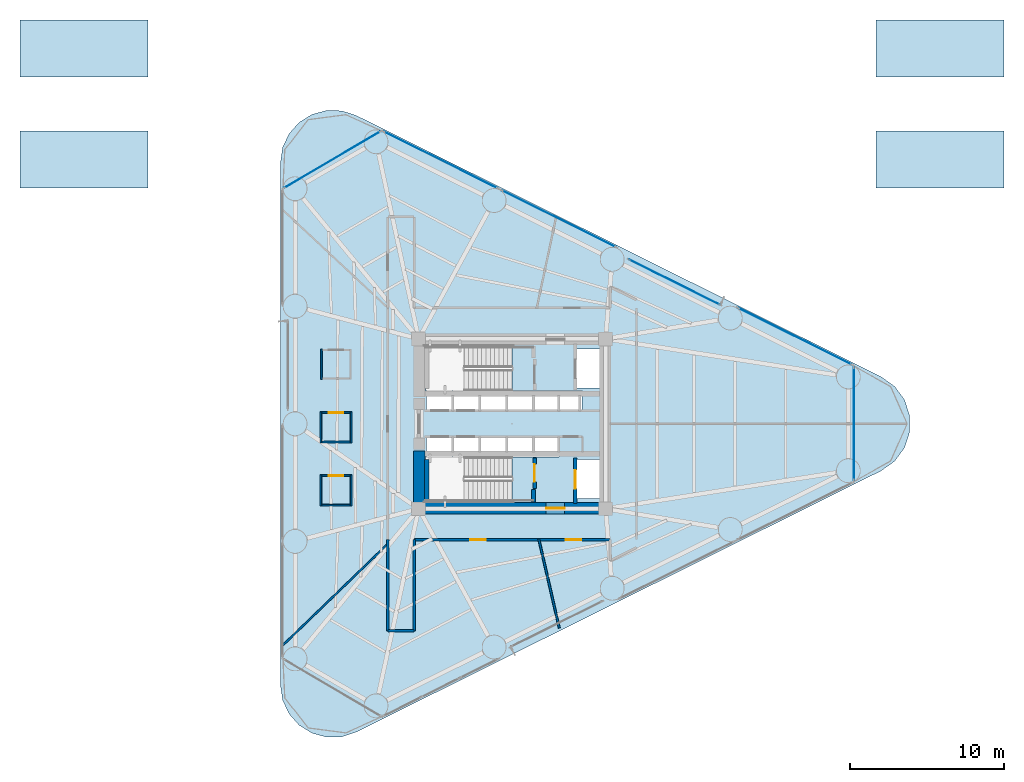
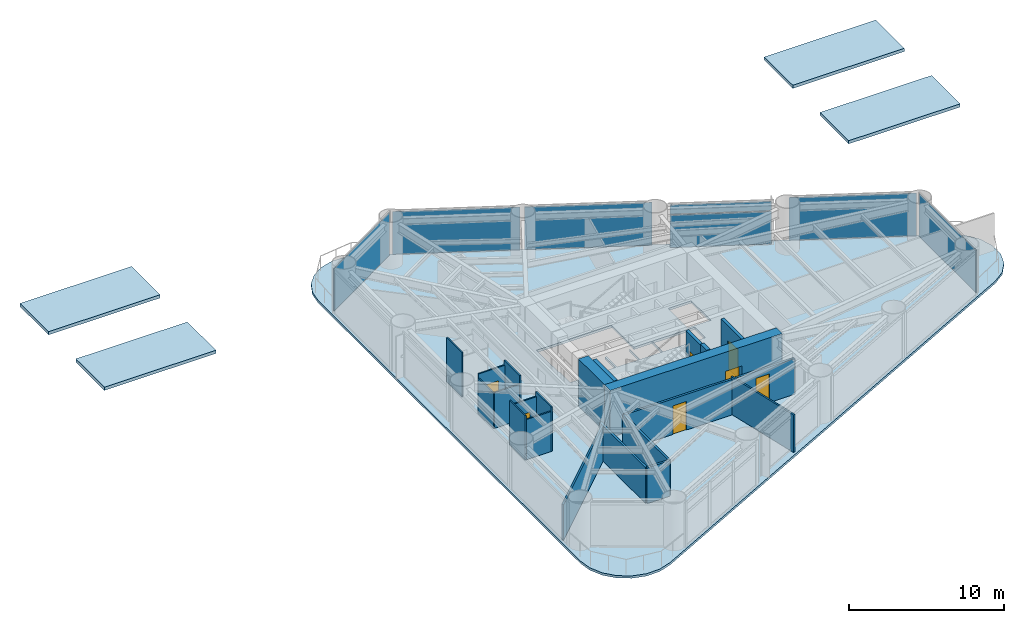
# One storey, part 5 of 10: 21 walls, 7 doors, 7 plates, 5 slabs, 7 openings, 6 elements without a shape of their own.
"""IFC4 building model written with IfcOpenShell, lengths in metres."""

import ifcopenshell
import ifcopenshell.guid

model = None  # the IFC model being written
_history = None  # IfcOwnerHistory: only IFC2X3 demands one
_inside = {}  # id of a spatial element -> (the spatial element, [elements in it])
_under = {}  # id of a project, library or spatial element -> (it, [spatial elements below it])
_declared = {}  # id of a project -> (the project, [libraries it declares])
_typed = {}  # id of a type object -> (the type object, [elements of that type])
_made_of = {}  # id of a material, layer set ... -> (it, [elements and type objects made of it])


def new_model(schema):
    """Start an empty IFC model of exactly this schema.

    Asked for "IFC4X3", IfcOpenShell would pick the latest addendum, in which some entities
    have other attributes; the version numbers below select the first issue.
    IFC2X3 requires an IfcOwnerHistory on every rooted entity: one is made here for all.
    """
    global model, _history
    if schema == "IFC4X3":
        model = ifcopenshell.file(schema_version=(4, 3, 0, 0))
    else:
        model = ifcopenshell.file(schema=schema)
    _inside.clear()
    _under.clear()
    _declared.clear()
    _typed.clear()
    _made_of.clear()
    _history = None
    if model.schema == "IFC2X3":
        org = make("IfcOrganization", Name="unknown")
        user = make(
            "IfcPersonAndOrganization",
            ThePerson=make("IfcPerson", FamilyName="unknown"),
            TheOrganization=org,
        )
        app = make(
            "IfcApplication",
            ApplicationDeveloper=org,
            Version="unknown",
            ApplicationFullName="unknown",
            ApplicationIdentifier="unknown",
        )
        _history = make(
            "IfcOwnerHistory",
            OwningUser=user,
            OwningApplication=app,
            ChangeAction="ADDED",
            CreationDate=0,
        )
    return model


def make(cls, **values):
    """One entity of the class cls with the attributes given. An attribute that is None is left unset."""
    return model.create_entity(
        cls, **{name: value for name, value in values.items() if value is not None}
    )


def rooted(cls, **values):
    """An entity with a GlobalId (a new one), such as an element, a storey or a relation."""
    return make(cls, GlobalId=ifcopenshell.guid.new(), OwnerHistory=_history, **values)


def si_unit(unit_type, name, prefix=None):
    """IfcSIUnit, for example si_unit("LENGTHUNIT", "METRE", prefix="MILLI")."""
    return make("IfcSIUnit", UnitType=unit_type, Prefix=prefix, Name=name)


def assignment(units):
    """IfcUnitAssignment: the units of a project."""
    return None if units is None else make("IfcUnitAssignment", Units=units)


def point(xyz):
    """IfcCartesianPoint."""
    return None if xyz is None else make("IfcCartesianPoint", Coordinates=xyz)


def direction(xyz):
    """IfcDirection."""
    return None if xyz is None else make("IfcDirection", DirectionRatios=xyz)


def frame(location, z_axis=None, x_axis=None):
    """IfcAxis2Placement3D, a coordinate frame: its origin and axes. An axis left out is left unset."""
    return make(
        "IfcAxis2Placement3D",
        Location=point(location),
        Axis=direction(z_axis),
        RefDirection=direction(x_axis),
    )


def frame_2d(location, x_axis=None):
    """IfcAxis2Placement2D, a coordinate frame in the plane: its origin and x axis."""
    return make(
        "IfcAxis2Placement2D", Location=point(location), RefDirection=direction(x_axis)
    )


def origin():
    """The frame at (0, 0, 0) with its axes left unset."""
    return frame((0.0, 0.0, 0.0))


def origin_2d():
    """The frame at (0, 0) in the plane with its x axis left unset."""
    return frame_2d((0.0, 0.0))


def place(relative_to, where):
    """IfcLocalPlacement: puts the frame where relative to a parent placement (None: the world)."""
    return make(
        "IfcLocalPlacement", PlacementRelTo=relative_to, RelativePlacement=where
    )


def context(
    kind, dimensions, precision=None, world=None, true_north=None, identifier=None
):
    """IfcGeometricRepresentationContext, for example the 3D "Model" context."""
    return make(
        "IfcGeometricRepresentationContext",
        ContextIdentifier=identifier,
        ContextType=kind,
        CoordinateSpaceDimension=dimensions,
        Precision=precision,
        WorldCoordinateSystem=world,
        TrueNorth=true_north,
    )


def subcontext(parent, identifier, kind, view, scale=None):
    """IfcGeometricRepresentationSubContext, for example "Body" below "Model"."""
    return make(
        "IfcGeometricRepresentationSubContext",
        ContextIdentifier=identifier,
        ContextType=kind,
        ParentContext=parent,
        TargetScale=scale,
        TargetView=view,
    )


def project(units=None, contexts=None):
    """IfcProject with its units and contexts."""
    return rooted(
        "IfcProject",
        Name="project",
        RepresentationContexts=contexts,
        UnitsInContext=assignment(units),
    )


def spatial(cls, under=None, at=None, **own):
    """A site, building, storey or space (cls), placed at a placement, below another one or the project."""
    s = rooted(cls, ObjectPlacement=at, **own)
    if under is not None:
        _under.setdefault(under.id(), (under, []))[1].append(s)
    return s


def polyline(points):
    """IfcPolyline through the points."""
    return make("IfcPolyline", Points=[point(p) for p in points])


def profile(cls, at=None, kind="AREA", **sizes):
    """A parametric profile (cls). Its sizes go by their IFC names, for example OverallWidth=200.0."""
    return make(cls, ProfileType=kind, Position=at, **sizes)


def rectangle(**sizes):
    """IfcRectangleProfileDef."""
    return profile("IfcRectangleProfileDef", **sizes)


def outline(outer, holes=None, kind="AREA"):
    """IfcArbitraryClosedProfileDef: a profile drawn as a closed curve; with holes, ...WithVoids."""
    if holes is None:
        return make("IfcArbitraryClosedProfileDef", ProfileType=kind, OuterCurve=outer)
    return make(
        "IfcArbitraryProfileDefWithVoids",
        ProfileType=kind,
        OuterCurve=outer,
        InnerCurves=holes,
    )


def extrude(swept, where, along, depth):
    """IfcExtrudedAreaSolid: the profile swept, set in the frame where, extruded along a direction by depth."""
    return make(
        "IfcExtrudedAreaSolid",
        SweptArea=swept,
        Position=where,
        ExtrudedDirection=direction(along),
        Depth=depth,
    )


def shape(context_of_items, identifier, shape_type, items):
    """IfcShapeRepresentation: the items that make up one representation, for example the "Body"."""
    return make(
        "IfcShapeRepresentation",
        ContextOfItems=context_of_items,
        RepresentationIdentifier=identifier,
        RepresentationType=shape_type,
        Items=items,
    )


def source(mapping_origin, context_of_items, identifier, shape_type, items):
    """IfcRepresentationMap: a shape defined once, which mapped items show again and again."""
    return make(
        "IfcRepresentationMap",
        MappingOrigin=mapping_origin,
        MappedRepresentation=shape(context_of_items, identifier, shape_type, items),
    )


def transform(
    local_origin,
    x_axis=None,
    y_axis=None,
    z_axis=None,
    scale=None,
    scale2=None,
    scale3=None,
    uniform=True,
):
    """IfcCartesianTransformationOperator3D, or its non-uniform kind. x_axis, y_axis, z_axis: its Axis1, 2, 3."""
    if uniform:
        return make(
            "IfcCartesianTransformationOperator3D",
            Axis1=direction(x_axis),
            Axis2=direction(y_axis),
            LocalOrigin=point(local_origin),
            Scale=scale,
            Axis3=direction(z_axis),
        )
    return make(
        "IfcCartesianTransformationOperator3DnonUniform",
        Axis1=direction(x_axis),
        Axis2=direction(y_axis),
        LocalOrigin=point(local_origin),
        Scale=scale,
        Axis3=direction(z_axis),
        Scale2=scale2,
        Scale3=scale3,
    )


def mapped(mapping_source, mapping_target):
    """IfcMappedItem: shows the shape of a source again, moved by a transform."""
    return make(
        "IfcMappedItem", MappingSource=mapping_source, MappingTarget=mapping_target
    )


def material(Name=None, Category=None):
    """IfcMaterial."""
    return make("IfcMaterial", Name=Name, Category=Category)


def layer(
    of_material, thickness, ventilated=None, Name=None, Category=None, Priority=None
):
    """IfcMaterialLayer: one layer of a wall or slab, of a material (None: an air gap)."""
    return make(
        "IfcMaterialLayer",
        Material=of_material,
        LayerThickness=thickness,
        IsVentilated=ventilated,
        Name=Name,
        Category=Category,
        Priority=Priority,
    )


def layer_set(layers, Name=None):
    """IfcMaterialLayerSet."""
    return make("IfcMaterialLayerSet", MaterialLayers=layers, LayerSetName=Name)


def made_of(thing, what):
    """Note that an element or type object is made of a material, layer set ...; save() writes the relation."""
    if what is not None:
        _made_of.setdefault(what.id(), (what, []))[1].append(thing)
    return thing


def type_object(cls, material=None, **own):
    """A type object (cls), such as IfcWallType, which elements share."""
    return made_of(rooted(cls, **own), material)


def element(
    cls,
    number,
    at=None,
    inside=None,
    cuts=None,
    type_object=None,
    material=None,
    context=None,
    identifier="Body",
    shape_type=None,
    held_by="IfcProductDefinitionShape",
    body=None,
    shapes=None,
    **own,
):
    """One element of the class cls, such as IfcWall. Its Tag is "e" and its number.

    at: its placement. inside: the storey or other place that contains it. cuts: it is an
    opening in that element (IfcRelVoidsElement). A single representation is given by context,
    identifier, shape_type and body (its items); several are given by shapes. held_by: the class
    of the entity that holds the representations. save() writes the other relations.
    """
    e = rooted(cls, Tag="e%d" % number, ObjectPlacement=at, **own)
    if body is not None:
        shapes = [shape(context, identifier, shape_type, body)]
    if shapes is not None:
        e.Representation = make(held_by, Representations=shapes)
    if inside is not None:
        _inside.setdefault(inside.id(), (inside, []))[1].append(e)
    if cuts is not None:
        rooted(
            "IfcRelVoidsElement", RelatingBuildingElement=cuts, RelatedOpeningElement=e
        )
    if type_object is not None:
        _typed.setdefault(type_object.id(), (type_object, []))[1].append(e)
    return made_of(e, material)


def fill(opening, filler):
    """IfcRelFillsElement: the door or window that sits in an opening."""
    return rooted(
        "IfcRelFillsElement",
        RelatingOpeningElement=opening,
        RelatedBuildingElement=filler,
    )


def aggregate(whole, parts):
    """IfcRelAggregates: a whole, such as a stair, and the parts it consists of."""
    return rooted("IfcRelAggregates", RelatingObject=whole, RelatedObjects=parts)


def save(model, path):
    """Write the relations noted so far, then the file.

    IfcRelAggregates (storeys below a building ...), IfcRelContainedInSpatialStructure (elements
    in a storey), IfcRelDefinesByType, IfcRelAssociatesMaterial and IfcRelDeclares: one each for
    every whole, place, type object, material and project.
    """
    for whole, parts in _under.values():
        aggregate(whole, parts)
    for where, things in _inside.values():
        rooted(
            "IfcRelContainedInSpatialStructure",
            RelatedElements=things,
            RelatingStructure=where,
        )
    for kind, things in _typed.values():
        rooted("IfcRelDefinesByType", RelatedObjects=things, RelatingType=kind)
    for what, things in _made_of.values():
        rooted("IfcRelAssociatesMaterial", RelatedObjects=things, RelatingMaterial=what)
    for by, libraries in _declared.values():
        rooted("IfcRelDeclares", RelatingContext=by, RelatedDefinitions=libraries)
    model.write(path)


model = new_model("IFC4")

# Units and contexts
model_context = context("Model", 3, precision=1e-05, world=origin(), true_north=direction((0.0, 1.0)))
body_context = subcontext(model_context, "Body", "Model", "MODEL_VIEW")
ifc_project = project(units=[si_unit("LENGTHUNIT", "METRE"), si_unit("AREAUNIT", "SQUARE_METRE"), si_unit("VOLUMEUNIT", "CUBIC_METRE"), si_unit("PLANEANGLEUNIT", "RADIAN"), si_unit("MASSUNIT", "GRAM", prefix="KILO")], contexts=[model_context])

# Site, building, storey
site_placement = place(None, origin())
site = spatial("IfcSite", under=ifc_project, at=site_placement, CompositionType="ELEMENT")
building_placement = place(site_placement, origin())
building = spatial("IfcBuilding", under=site, at=building_placement, Name="Yunling Apex Tower", CompositionType="ELEMENT")
storey_placement = place(building_placement, frame((0.0, 0.0, 23.800048828125)))
storey = spatial("IfcBuildingStorey", under=building, at=storey_placement, Name="L07", CompositionType="ELEMENT", Elevation=23.800048828125)

# Slabs
ifc_material_1 = material(Name="Concrete C40", Category="concrete")
ifc_layer_1 = layer(ifc_material_1, 0.179931640625)
ifc_layer_set_1 = layer_set([ifc_layer_1], Name="Concrete C40")
slab_type_1 = type_object("IfcSlabType", Name="SL-FLR-1", PredefinedType="FLOOR", material=ifc_layer_set_1)
slab_1_placement = place(storey_placement, frame((0.0, 0.0, -0.18505859375)))
element("IfcSlab", 1, at=slab_1_placement, inside=storey, type_object=slab_type_1, Name="L07 Composite Tower Floor Slab", PredefinedType="FLOOR", context=body_context, shape_type="SweptSolid", body=[
    extrude(outline(polyline([(-15.001953125, -16.909912109375), (-14.859619140625, -17.88330078125), (-14.444580078125, -18.775390625), (-13.79150390625, -19.510986328125), (-12.955078125, -20.029052734375), (-12.00537109375, -20.285888671875), (-11.02197265625, -20.260009765625), (-10.0869140625, -19.953857421875), (23.88818359375, -3.043701171875), (24.76123046875, -2.42041015625), (25.396484375, -1.555908203125), (25.730712890625, -0.536376953125), (25.730712890625, 0.536376953125), (25.396484375, 1.555908203125), (24.76123046875, 2.42041015625), (23.88818359375, 3.043701171875), (-10.0869140625, 19.953857421875), (-11.02197265625, 20.260009765625), (-12.00537109375, 20.285888671875), (-12.955078125, 20.029052734375), (-13.79150390625, 19.510986328125), (-14.444580078125, 18.775390625), (-14.859619140625, 17.88330078125), (-15.001953125, 16.909912109375), (-15.001953125, -16.909912109375)]), holes=[polyline([(5.81005859375, -2.320068359375), (5.81005859375, -4.840087890625), (4.090087890625, -4.840087890625), (4.090087890625, -2.320068359375), (5.81005859375, -2.320068359375)]), polyline([(5.81005859375, 4.840087890625), (5.81005859375, 2.320068359375), (4.090087890625, 2.320068359375), (4.090087890625, 4.840087890625), (5.81005859375, 4.840087890625)]), polyline([(1.364990234375, 2.1650390625), (4.534912109375, 2.1650390625), (4.534912109375, 0.794921875), (1.364990234375, 0.794921875), (1.364990234375, 2.1650390625)]), polyline([(3.034912109375, -0.794921875), (3.034912109375, -2.1650390625), (1.364990234375, -2.1650390625), (1.364990234375, -0.794921875), (3.034912109375, -0.794921875)]), polyline([(-5.534912109375, -0.794921875), (-3.864990234375, -0.794921875), (-3.864990234375, -2.139892578125), (-3.8349609375, -2.139892578125), (-3.8349609375, -0.794921875), (-2.1650390625, -0.794921875), (-2.1650390625, -2.139892578125), (-2.034912109375, -2.139892578125), (-2.034912109375, -0.794921875), (-0.364990234375, -0.794921875), (-0.364990234375, -2.139892578125), (-0.3349609375, -2.139892578125), (-0.3349609375, -0.794921875), (1.3349609375, -0.794921875), (1.3349609375, -2.1650390625), (-0.010009765625, -2.1650390625), (-0.010009765625, -5.010009765625), (-5.60009765625, -5.010009765625), (-5.60009765625, -2.139892578125), (-5.534912109375, -2.139892578125), (-5.534912109375, -0.794921875)]), polyline([(-5.60009765625, 2.139892578125), (-5.60009765625, 5.010009765625), (-0.010009765625, 5.010009765625), (-0.010009765625, 2.1650390625), (1.3349609375, 2.1650390625), (1.3349609375, 0.794921875), (-0.3349609375, 0.794921875), (-0.3349609375, 2.139892578125), (-0.364990234375, 2.139892578125), (-0.364990234375, 0.794921875), (-2.034912109375, 0.794921875), (-2.034912109375, 2.139892578125), (-2.1650390625, 2.139892578125), (-2.1650390625, 0.794921875), (-3.8349609375, 0.794921875), (-3.8349609375, 2.139892578125), (-3.864990234375, 2.139892578125), (-3.864990234375, 0.794921875), (-5.534912109375, 0.794921875), (-5.534912109375, 2.139892578125), (-5.60009765625, 2.139892578125)])]), origin(), (0.0, 0.0, 1.0), 0.18505859375),
])
ifc_layer_2 = layer(ifc_material_1, 0.25)
ifc_layer_set_2 = layer_set([ifc_layer_2], Name="Concrete C40")
slab_type_2 = type_object("IfcSlabType", Name="SL-ROOF-CRN", PredefinedType="ROOF", material=ifc_layer_set_2)
slab_2_placement = place(storey_placement, frame((0.0, 0.0, -0.179931640625)))
element("IfcSlab", 2, at=slab_2_placement, inside=storey, type_object=slab_type_2, Name="L06 Stair STP1 Headhouse Roof Slab", PredefinedType="ROOF", context=body_context, shape_type="SweptSolid", body=[
    extrude(outline(polyline([(-31.860107421875, 15.260009765625), (-23.56005859375, 15.260009765625), (-23.56005859375, 18.93994140625), (-31.860107421875, 18.93994140625), (-31.860107421875, 15.260009765625)])), origin(), (0.0, 0.0, 1.0), 0.25),
])
slab_3_placement = place(storey_placement, frame((0.0, 0.0, -0.179931640625)))
element("IfcSlab", 3, at=slab_3_placement, inside=storey, type_object=slab_type_2, Name="L06 Stair STP2 Headhouse Roof Slab", PredefinedType="ROOF", context=body_context, shape_type="SweptSolid", body=[
    extrude(outline(polyline([(23.5400390625, 15.260009765625), (31.840087890625, 15.260009765625), (31.840087890625, 18.93994140625), (23.5400390625, 18.93994140625), (23.5400390625, 15.260009765625)])), origin(), (0.0, 0.0, 1.0), 0.25),
])
slab_4_placement = place(storey_placement, frame((0.0, 0.0, -0.179931640625)))
element("IfcSlab", 4, at=slab_4_placement, inside=storey, type_object=slab_type_2, Name="L06 Stair STG1 Headhouse Roof Slab", PredefinedType="ROOF", context=body_context, shape_type="SweptSolid", body=[
    extrude(outline(polyline([(-31.860107421875, 22.4599609375), (-23.56005859375, 22.4599609375), (-23.56005859375, 26.139892578125), (-31.860107421875, 26.139892578125), (-31.860107421875, 22.4599609375)])), origin(), (0.0, 0.0, 1.0), 0.25),
])
slab_5_placement = place(storey_placement, frame((0.0, 0.0, -0.179931640625)))
element("IfcSlab", 5, at=slab_5_placement, inside=storey, type_object=slab_type_2, Name="L06 Stair STG2 Headhouse Roof Slab", PredefinedType="ROOF", context=body_context, shape_type="SweptSolid", body=[
    extrude(outline(polyline([(23.5400390625, 22.4599609375), (31.840087890625, 22.4599609375), (31.840087890625, 26.139892578125), (23.5400390625, 26.139892578125), (23.5400390625, 22.4599609375)])), origin(), (0.0, 0.0, 1.0), 0.25),
])

# Curtain wall, plate
ifc_material_2 = material(Name="Bronze anodised aluminium", Category="aluminium")
ifc_layer_3 = layer(ifc_material_2, 0.260009765625)
ifc_layer_set_3 = layer_set([ifc_layer_3], Name="Bronze anodised aluminium")
curtain_wall_type = type_object("IfcCurtainWallType", Name="CW-SYS-2", PredefinedType="NOTDEFINED", material=ifc_layer_set_3)
curtain_wall_1_placement = place(storey_placement, origin())
curtain_wall_1 = element("IfcCurtainWall", 6, at=curtain_wall_1_placement, inside=storey, type_object=curtain_wall_type, Name="CW-L07-F2-B1", PredefinedType="NOTDEFINED")
ifc_material_3 = material(Name="Bronze tinted low-E glass", Category="glass")
ifc_layer_4 = layer(ifc_material_3, 0.033935546875)
ifc_layer_set_4 = layer_set([ifc_layer_4], Name="Bronze tinted low-E glass")
plate_type = type_object("IfcPlateType", Name="CW-PNL-2", PredefinedType="CURTAIN_PANEL", material=ifc_layer_set_4)
shared_shape_1 = source(origin(), body_context, "Body", "SweptSolid", [
    extrude(rectangle(XDim=8.225341796875, YDim=0.033935546875, at=origin_2d()), origin(), (0.0, 0.0, 1.0), 3.361572265625),
])
plate_1_placement = place(storey_placement, frame((18.304931640625, 5.666259765625, 0.07666015625), z_axis=(0.0, 0.0, 1.0), x_axis=(-0.895242031011, 0.445580190214, 0.0)))
plate_1 = element("IfcPlate", 7, at=plate_1_placement, type_object=plate_type, Name="CW-SYS-2 panel 1.1", PredefinedType="CURTAIN_PANEL", context=body_context, shape_type="MappedRepresentation", body=[
    mapped(shared_shape_1, transform((0.0, 0.0, 0.0), scale=1.0)),
])
aggregate(curtain_wall_1, [plate_1])

curtain_wall_2_placement = place(storey_placement, origin())
curtain_wall_2 = element("IfcCurtainWall", 8, at=curtain_wall_2_placement, inside=storey, type_object=curtain_wall_type, Name="CW-L07-F2-B3", PredefinedType="NOTDEFINED")
plate_2_placement = place(storey_placement, frame((3.01611328125, 13.27587890625, 0.07666015625), z_axis=(0.0, 0.0, 1.0), x_axis=(-0.895242031011, 0.445580190214, 0.0)))
plate_2 = element("IfcPlate", 9, at=plate_2_placement, type_object=plate_type, Name="CW-SYS-2 panel 1.1", PredefinedType="CURTAIN_PANEL", context=body_context, shape_type="MappedRepresentation", body=[
    mapped(shared_shape_1, transform((0.0, 0.0, 0.0), scale=1.0)),
])
aggregate(curtain_wall_2, [plate_2])

curtain_wall_3_placement = place(storey_placement, origin())
curtain_wall_3 = element("IfcCurtainWall", 10, at=curtain_wall_3_placement, inside=storey, type_object=curtain_wall_type, Name="CW-L07-F2-B4", PredefinedType="NOTDEFINED")
plate_3_placement = place(storey_placement, frame((-4.62841796875, 17.08056640625, 0.07666015625), z_axis=(0.0, 0.0, 1.0), x_axis=(-0.895246791748, 0.445570625003, 0.0)))
plate_3 = element("IfcPlate", 11, at=plate_3_placement, type_object=plate_type, Name="CW-SYS-2 panel 1.1", PredefinedType="CURTAIN_PANEL", context=body_context, shape_type="MappedRepresentation", body=[
    mapped(shared_shape_1, transform((0.0, 0.0, 0.0), scale=1.0)),
])
aggregate(curtain_wall_3, [plate_3])

curtain_wall_4_placement = place(storey_placement, origin())
curtain_wall_4 = element("IfcCurtainWall", 12, at=curtain_wall_4_placement, inside=storey, type_object=curtain_wall_type, Name="CW-L07-CRN1", PredefinedType="NOTDEFINED")
shared_shape_2 = source(origin(), body_context, "Body", "SweptSolid", [
    extrude(rectangle(XDim=7.338623046875, YDim=0.033935546875, at=origin_2d()), origin(), (0.0, 0.0, 1.0), 3.361572265625),
])
plate_4_placement = place(storey_placement, frame((22.1181640625, 0.0, 0.07666015625), z_axis=(0.0, 0.0, 1.0), x_axis=(0.0, 1.0, 0.0)))
plate_4 = element("IfcPlate", 13, at=plate_4_placement, type_object=plate_type, Name="CW-SYS-2 panel 1.1", PredefinedType="CURTAIN_PANEL", context=body_context, shape_type="MappedRepresentation", body=[
    mapped(shared_shape_2, transform((0.0, 0.0, 0.0), scale=1.0)),
])
aggregate(curtain_wall_4, [plate_4])

curtain_wall_5_placement = place(storey_placement, origin())
curtain_wall_5 = element("IfcCurtainWall", 14, at=curtain_wall_5_placement, inside=storey, type_object=curtain_wall_type, Name="CW-L07-CRN2", PredefinedType="NOTDEFINED")
shared_shape_3 = source(origin(), body_context, "Body", "SweptSolid", [
    extrude(rectangle(XDim=7.247314453125, YDim=0.033935546875, at=origin_2d()), origin(), (0.0, 0.0, 1.0), 3.361572265625),
])
plate_5_placement = place(storey_placement, frame((-11.650634765625, 17.092041015625, 0.07666015625), z_axis=(0.0, 0.0, 1.0), x_axis=(-0.86241873323, -0.506195543811, 0.0)))
plate_5 = element("IfcPlate", 15, at=plate_5_placement, type_object=plate_type, Name="CW-SYS-2 panel 1.1", PredefinedType="CURTAIN_PANEL", context=body_context, shape_type="MappedRepresentation", body=[
    mapped(shared_shape_3, transform((0.0, 0.0, 0.0), scale=1.0)),
])
aggregate(curtain_wall_5, [plate_5])

# Curtain wall, plates
curtain_wall_6_placement = place(storey_placement, origin())
curtain_wall_6 = element("IfcCurtainWall", 16, at=curtain_wall_6_placement, inside=storey, type_object=curtain_wall_type, Name="CW-L07-F2-B2", PredefinedType="NOTDEFINED")
shared_shape_4 = source(origin(), body_context, "Body", "SweptSolid", [
    extrude(rectangle(XDim=6.54541015625, YDim=0.033935546875, at=origin_2d()), origin(), (0.0, 0.0, 1.0), 2.560302734375),
])
plate_6_placement = place(storey_placement, frame((10.509033203125, 9.166748046875, 0.07666015625), z_axis=(0.0, 0.0, 1.0), x_axis=(-0.895243732344, 0.445576771947, 0.0)))
plate_6 = element("IfcPlate", 17, at=plate_6_placement, type_object=plate_type, Name="CW-SYS-2 panel 1.1", PredefinedType="CURTAIN_PANEL", context=body_context, shape_type="MappedRepresentation", body=[
    mapped(shared_shape_4, transform((0.0, 0.0, 0.0), scale=1.0)),
])
shared_shape_5 = source(origin(), body_context, "Body", "SweptSolid", [
    extrude(rectangle(XDim=6.54541015625, YDim=0.033935546875, at=origin_2d()), origin(), (0.0, 0.0, 1.0), 0.732666015625),
])
plate_7_placement = place(storey_placement, frame((10.509033203125, 9.166748046875, 2.70556640625), z_axis=(0.0, 0.0, 1.0), x_axis=(-0.895243732344, 0.445576771947, 0.0)))
plate_7 = element("IfcPlate", 18, at=plate_7_placement, type_object=plate_type, Name="CW-SYS-2 panel 1.2", PredefinedType="CURTAIN_PANEL", context=body_context, shape_type="MappedRepresentation", body=[
    mapped(shared_shape_5, transform((0.0, 0.0, 0.0), scale=1.0)),
])
aggregate(curtain_wall_6, [plate_6, plate_7])

# Wall, opening, door
ifc_material_4 = material(Name="Concrete C60", Category="concrete")
ifc_layer_5 = layer(ifc_material_4, 0.75)
ifc_layer_set_5 = layer_set([ifc_layer_5], Name="Concrete C60")
wall_type_1 = type_object("IfcWallType", Name="WL-COR-1", PredefinedType="SHEAR", material=ifc_layer_set_5)
wall_1_placement = place(storey_placement, frame((-6.39990234375, -5.47509765625, 0.0), z_axis=(0.0, 0.0, 1.0), x_axis=(1.0, 0.0, 0.0)))
wall_1 = element("IfcWall", 19, at=wall_1_placement, inside=storey, type_object=wall_type_1, Name="L07 South Core Shear Wall", PredefinedType="SHEAR", context=body_context, shape_type="SweptSolid", body=[
    extrude(rectangle(XDim=12.7998046875, YDim=0.75, at=frame_2d((6.39990234375, 0.0))), origin(), (0.0, 0.0, 1.0), 3.699951171875),
])
opening_1_placement = place(wall_1_placement, frame((8.60009765625, 0.0, 0.0)))
opening_1 = element("IfcOpeningElement", 20, at=opening_1_placement, cuts=wall_1, Name="Opening DR-FFL-1", PredefinedType="OPENING", context=body_context, shape_type="SweptSolid", body=[
    extrude(rectangle(XDim=1.199951171875, YDim=2.199951171875, at=frame_2d((0.60009765625, 1.10009765625))), frame((0.0, 0.385009765625, 0.0), z_axis=(0.0, -1.0, 0.0), x_axis=(1.0, 0.0, 0.0)), (0.0, 0.0, 1.0), 0.77001953125),
])
ifc_material_5 = material(Name="Steel Q355B", Category="steel")
door_type_1 = type_object("IfcDoorType", Name="DR-FFL-1", OperationType="NOTDEFINED", PredefinedType="DOOR", material=ifc_material_5)
door_1_placement = place(opening_1_placement, origin())
door_1 = element("IfcDoor", 21, at=door_1_placement, inside=storey, type_object=door_type_1, Name="L07 South Firefighting Lobby Door", OperationType="SINGLE_SWING_RIGHT", OverallHeight=2.199951171875, OverallWidth=1.199951171875, PredefinedType="DOOR", context=body_context, shape_type="SweptSolid", body=[
    extrude(rectangle(XDim=1.199951171875, YDim=2.199951171875, at=frame_2d((0.60009765625, 1.10009765625))), frame((0.0, 0.02490234375, 0.0), z_axis=(0.0, -1.0, 0.0), x_axis=(1.0, 0.0, 0.0)), (0.0, 0.0, 1.0), 0.050048828125),
])
fill(opening_1, door_1)

# Walls
wall_2_placement = place(storey_placement, frame((-6.02490234375, -5.10009765625, 0.0), z_axis=(0.0, 0.0, 1.0), x_axis=(0.0, 1.0, 0.0)))
element("IfcWall", 22, at=wall_2_placement, inside=storey, type_object=wall_type_1, Name="L07 West-South Core Shear Wall", PredefinedType="SHEAR", context=body_context, shape_type="SweptSolid", body=[
    extrude(rectangle(XDim=3.35009765625, YDim=0.75, at=frame_2d((1.675048828125, 0.0))), origin(), (0.0, 0.0, 1.0), 3.699951171875),
])
ifc_layer_6 = layer(ifc_material_1, 0.280029296875)
ifc_layer_set_6 = layer_set([ifc_layer_6], Name="Concrete C40")
wall_type_2 = type_object("IfcWallType", Name="WL-COR-8", PredefinedType="SHEAR", material=ifc_layer_set_6)
wall_3_placement = place(storey_placement, frame((-5.52001953125, -5.050048828125, 0.0), z_axis=(0.0, 0.0, 1.0), x_axis=(0.0, 1.0, 0.0)))
element("IfcWall", 23, at=wall_3_placement, inside=storey, type_object=wall_type_2, Name="L07 ST-2 West Landing Bearing Wall", PredefinedType="SHEAR", context=body_context, shape_type="SweptSolid", body=[
    extrude(rectangle(XDim=2.75, YDim=0.280029296875, at=frame_2d((1.375, 0.0))), origin(), (0.0, 0.0, 1.0), 3.699951171875),
])
wall_4_placement = place(storey_placement, frame((1.3798828125, -5.050048828125, 0.0), z_axis=(0.0, 0.0, 1.0), x_axis=(0.0, 1.0, 0.0)))
element("IfcWall", 24, at=wall_4_placement, inside=storey, type_object=wall_type_2, Name="L07 ST-2 East Landing Bearing Pier", PredefinedType="SHEAR", context=body_context, shape_type="SweptSolid", body=[
    extrude(rectangle(XDim=0.800048828125, YDim=0.280029296875, at=frame_2d((0.39990234375, 0.0))), origin(), (0.0, 0.0, 1.0), 3.699951171875),
])

# Wall, openings, doors
ifc_material_6 = material(Name="Gypsum board acoustic partition")
ifc_layer_7 = layer(ifc_material_6, 0.159912109375)
ifc_layer_set_7 = layer_set([ifc_layer_7], Name="Gypsum board acoustic partition")
wall_type_3 = type_object("IfcWallType", Name="WL-PRT-1", PredefinedType="PARTITIONING", material=ifc_layer_set_7)
wall_5_placement = place(storey_placement, frame((6.35009765625, -7.5, 0.0), z_axis=(0.0, 0.0, 1.0), x_axis=(-1.0, 0.0, 0.0)))
wall_5 = element("IfcWall", 25, at=wall_5_placement, inside=storey, type_object=wall_type_3, Name="WL-CORR-L07-01", PredefinedType="PARTITIONING", context=body_context, shape_type="SweptSolid", body=[
    extrude(rectangle(XDim=12.7001953125, YDim=0.159912109375, at=frame_2d((6.35009765625, 0.0))), origin(), (0.0, 0.0, 1.0), 2.800048828125),
])
opening_2_placement = place(wall_5_placement, frame((1.89306640625, 0.0, 0.0)))
opening_2 = element("IfcOpeningElement", 26, at=opening_2_placement, cuts=wall_5, Name="Opening DR-OFF-1", PredefinedType="OPENING", context=body_context, shape_type="SweptSolid", body=[
    extrude(rectangle(XDim=1.0, YDim=2.25, at=frame_2d((0.5, 1.125))), frame((0.0, 0.08984375, 0.0), z_axis=(0.0, -1.0, 0.0), x_axis=(1.0, 0.0, 0.0)), (0.0, 0.0, 1.0), 0.179931640625),
])
opening_3_placement = place(wall_5_placement, frame((8.056884765625, 0.0, 0.0)))
opening_3 = element("IfcOpeningElement", 27, at=opening_3_placement, cuts=wall_5, Name="Opening DR-OFF-1", PredefinedType="OPENING", context=body_context, shape_type="SweptSolid", body=[
    extrude(rectangle(XDim=1.0, YDim=2.25, at=frame_2d((0.5, 1.125))), frame((0.0, 0.08984375, 0.0), z_axis=(0.0, -1.0, 0.0), x_axis=(1.0, 0.0, 0.0)), (0.0, 0.0, 1.0), 0.179931640625),
])
door_type_2 = type_object("IfcDoorType", Name="DR-OFF-1", OperationType="NOTDEFINED", PredefinedType="DOOR", material=ifc_material_2)
door_2_placement = place(opening_2_placement, origin())
door_2 = element("IfcDoor", 28, at=door_2_placement, inside=storey, type_object=door_type_2, Name="L07 Open Plan Office Door", OperationType="SINGLE_SWING_LEFT", OverallHeight=2.25, OverallWidth=1.0, PredefinedType="DOOR", context=body_context, shape_type="SweptSolid", body=[
    extrude(rectangle(XDim=1.0, YDim=2.25, at=frame_2d((0.5, 1.125))), frame((0.0, 0.02490234375, 0.0), z_axis=(0.0, -1.0, 0.0), x_axis=(1.0, 0.0, 0.0)), (0.0, 0.0, 1.0), 0.050048828125),
])
fill(opening_2, door_2)
door_3_placement = place(opening_3_placement, origin())
door_3 = element("IfcDoor", 29, at=door_3_placement, inside=storey, type_object=door_type_2, Name="L07 Open Plan Office Door", OperationType="SINGLE_SWING_RIGHT", OverallHeight=2.25, OverallWidth=1.0, PredefinedType="DOOR", context=body_context, shape_type="SweptSolid", body=[
    extrude(rectangle(XDim=1.0, YDim=2.25, at=frame_2d((0.5, 1.125))), frame((0.0, 0.02490234375, 0.0), z_axis=(0.0, -1.0, 0.0), x_axis=(1.0, 0.0, 0.0)), (0.0, 0.0, 1.0), 0.050048828125),
])
fill(opening_3, door_3)

# Walls
wall_6_placement = place(storey_placement, frame((-6.35009765625, -7.5, 0.0), z_axis=(0.0, 0.0, 1.0), x_axis=(0.0, -1.0, 0.0)))
element("IfcWall", 30, at=wall_6_placement, inside=storey, type_object=wall_type_3, Name="WL-CORR-L07-02", PredefinedType="PARTITIONING", context=body_context, shape_type="SweptSolid", body=[
    extrude(rectangle(XDim=5.89990234375, YDim=0.159912109375, at=frame_2d((2.949951171875, 0.0))), origin(), (0.0, 0.0, 1.0), 2.800048828125),
])
wall_7_placement = place(storey_placement, frame((-6.35009765625, -13.39990234375, 0.0), z_axis=(0.0, 0.0, 1.0), x_axis=(-1.0, 0.0, 0.0)))
element("IfcWall", 31, at=wall_7_placement, inside=storey, type_object=wall_type_3, Name="WL-CORR-L07-03", PredefinedType="PARTITIONING", context=body_context, shape_type="SweptSolid", body=[
    extrude(rectangle(XDim=1.699951171875, YDim=0.159912109375, at=frame_2d((0.85009765625, 0.0))), origin(), (0.0, 0.0, 1.0), 2.800048828125),
])
wall_8_placement = place(storey_placement, frame((-8.050048828125, -13.39990234375, 0.0), z_axis=(0.0, 0.0, 1.0), x_axis=(0.0, 1.0, 0.0)))
element("IfcWall", 32, at=wall_8_placement, inside=storey, type_object=wall_type_3, Name="WL-CORR-L07-04", PredefinedType="PARTITIONING", context=body_context, shape_type="SweptSolid", body=[
    extrude(rectangle(XDim=5.89990234375, YDim=0.159912109375, at=frame_2d((2.949951171875, 0.0))), origin(), (0.0, 0.0, 1.0), 2.800048828125),
])
ifc_layer_8 = layer(ifc_material_6, 0.1201171875)
ifc_layer_set_8 = layer_set([ifc_layer_8], Name="Gypsum board acoustic partition")
wall_type_4 = type_object("IfcWallType", Name="WL-PRT-3", PredefinedType="PARTITIONING", material=ifc_layer_set_8)
wall_9_placement = place(storey_placement, frame((-8.010009765625, -7.735107421875, 0.0), z_axis=(0.0, 0.0, 1.0), x_axis=(-0.719335268178, -0.694663063618, 0.0)))
element("IfcWall", 33, at=wall_9_placement, inside=storey, type_object=wall_type_4, Name="WL-RAD-L07-04", PredefinedType="PARTITIONING", context=body_context, shape_type="SweptSolid", body=[
    extrude(rectangle(XDim=9.469970703125, YDim=0.1201171875, at=frame_2d((4.73486328125, 0.0))), origin(), (0.0, 0.0, 1.0), 2.800048828125),
])
wall_10_placement = place(storey_placement, frame((1.722412109375, -7.4599609375, 0.0), z_axis=(0.0, 0.0, 1.0), x_axis=(0.22494706926, -0.974370984806, 0.0)))
element("IfcWall", 34, at=wall_10_placement, inside=storey, type_object=wall_type_4, Name="WL-RAD-L07-05", PredefinedType="PARTITIONING", context=body_context, shape_type="SweptSolid", body=[
    extrude(rectangle(XDim=5.9052734375, YDim=0.1201171875, at=frame_2d((2.95263671875, 0.0))), origin(), (0.0, 0.0, 1.0), 2.9599609375),
])

# Wall, opening, door
ifc_layer_9 = layer(ifc_material_6, 0.10009765625)
ifc_layer_set_9 = layer_set([ifc_layer_9], Name="Gypsum board acoustic partition")
wall_type_5 = type_object("IfcWallType", Name="WL-PRT-4", PredefinedType="PARTITIONING", material=ifc_layer_set_9)
wall_11_placement = place(storey_placement, frame((-12.430908203125, 0.719970703125, 0.0), z_axis=(0.0, 0.0, 1.0), x_axis=(1.0, 0.0, 0.0)))
wall_11 = element("IfcWall", 35, at=wall_11_placement, inside=storey, type_object=wall_type_5, Name="WL-L07-WCMN", PredefinedType="PARTITIONING", context=body_context, shape_type="SweptSolid", body=[
    extrude(rectangle(XDim=2.0498046875, YDim=0.10009765625, at=frame_2d((1.02490234375, 0.0))), origin(), (0.0, 0.0, 1.0), 3.14990234375),
])
opening_4_placement = place(wall_11_placement, frame((0.56494140625, 0.0, 0.0)))
opening_4 = element("IfcOpeningElement", 36, at=opening_4_placement, cuts=wall_11, Name="Opening DR-WC-1", PredefinedType="OPENING", context=body_context, shape_type="SweptSolid", body=[
    extrude(rectangle(XDim=0.919921875, YDim=2.10009765625, at=frame_2d((0.4599609375, 1.050048828125))), frame((0.0, 0.06005859375, 0.0), z_axis=(0.0, -1.0, 0.0), x_axis=(1.0, 0.0, 0.0)), (0.0, 0.0, 1.0), 0.1201171875),
])
ifc_material_7 = material(Name="Timber moisture-resistant leaf", Category="wood")
door_type_3 = type_object("IfcDoorType", Name="DR-WC-1", OperationType="NOTDEFINED", PredefinedType="DOOR", material=ifc_material_7)
door_4_placement = place(opening_4_placement, origin())
door_4 = element("IfcDoor", 37, at=door_4_placement, inside=storey, type_object=door_type_3, Name="L07 Male Toilet Door", OperationType="SINGLE_SWING_RIGHT", OverallHeight=2.10009765625, OverallWidth=0.919921875, PredefinedType="DOOR", context=body_context, shape_type="SweptSolid", body=[
    extrude(rectangle(XDim=0.919921875, YDim=2.10009765625, at=frame_2d((0.4599609375, 1.050048828125))), frame((0.0, 0.02490234375, 0.0), z_axis=(0.0, -1.0, 0.0), x_axis=(1.0, 0.0, 0.0)), (0.0, 0.0, 1.0), 0.050048828125),
])
fill(opening_4, door_4)

# Walls
wall_12_placement = place(storey_placement, frame((-10.381103515625, -1.179931640625, 0.0), z_axis=(0.0, 0.0, 1.0), x_axis=(-1.0, 0.0, 0.0)))
element("IfcWall", 38, at=wall_12_placement, inside=storey, type_object=wall_type_5, Name="WL-L07-WCMS", PredefinedType="PARTITIONING", context=body_context, shape_type="SweptSolid", body=[
    extrude(rectangle(XDim=2.0498046875, YDim=0.10009765625, at=frame_2d((1.02490234375, 0.0))), origin(), (0.0, 0.0, 1.0), 2.800048828125),
])
wall_13_placement = place(storey_placement, frame((-10.430908203125, 0.77001953125, 0.0), z_axis=(0.0, 0.0, 1.0), x_axis=(0.0, -1.0, 0.0)))
element("IfcWall", 39, at=wall_13_placement, inside=storey, type_object=wall_type_5, Name="WL-L07-WCME", PredefinedType="PARTITIONING", context=body_context, shape_type="SweptSolid", body=[
    extrude(rectangle(XDim=2.0, YDim=0.10009765625, at=frame_2d((1.0, 0.0))), origin(), (0.0, 0.0, 1.0), 3.494873046875),
])
wall_14_placement = place(storey_placement, frame((-12.381103515625, -1.22998046875, 0.0), z_axis=(0.0, 0.0, 1.0), x_axis=(0.0, 1.0, 0.0)))
element("IfcWall", 40, at=wall_14_placement, inside=storey, type_object=wall_type_5, Name="WL-L07-WCMW", PredefinedType="PARTITIONING", context=body_context, shape_type="SweptSolid", body=[
    extrude(rectangle(XDim=2.0, YDim=0.10009765625, at=frame_2d((1.0, 0.0))), origin(), (0.0, 0.0, 1.0), 2.800048828125),
])

# Wall, opening, door
wall_15_placement = place(storey_placement, frame((-12.430908203125, -3.361083984375, 0.0), z_axis=(0.0, 0.0, 1.0), x_axis=(1.0, 0.0, 0.0)))
wall_15 = element("IfcWall", 41, at=wall_15_placement, inside=storey, type_object=wall_type_5, Name="WL-L07-WCFN", PredefinedType="PARTITIONING", context=body_context, shape_type="SweptSolid", body=[
    extrude(rectangle(XDim=2.0498046875, YDim=0.10009765625, at=frame_2d((1.02490234375, 0.0))), origin(), (0.0, 0.0, 1.0), 3.14990234375),
])
opening_5_placement = place(wall_15_placement, frame((0.56494140625, 0.0, 0.0)))
opening_5 = element("IfcOpeningElement", 42, at=opening_5_placement, cuts=wall_15, Name="Opening DR-WC-1", PredefinedType="OPENING", context=body_context, shape_type="SweptSolid", body=[
    extrude(rectangle(XDim=0.919921875, YDim=2.10009765625, at=frame_2d((0.4599609375, 1.050048828125))), frame((0.0, 0.06005859375, 0.0), z_axis=(0.0, -1.0, 0.0), x_axis=(1.0, 0.0, 0.0)), (0.0, 0.0, 1.0), 0.1201171875),
])
door_5_placement = place(opening_5_placement, origin())
door_5 = element("IfcDoor", 43, at=door_5_placement, inside=storey, type_object=door_type_3, Name="L07 Female Toilet Door", OperationType="SINGLE_SWING_LEFT", OverallHeight=2.10009765625, OverallWidth=0.919921875, PredefinedType="DOOR", context=body_context, shape_type="SweptSolid", body=[
    extrude(rectangle(XDim=0.919921875, YDim=2.10009765625, at=frame_2d((0.4599609375, 1.050048828125))), frame((0.0, 0.02490234375, 0.0), z_axis=(0.0, -1.0, 0.0), x_axis=(1.0, 0.0, 0.0)), (0.0, 0.0, 1.0), 0.050048828125),
])
fill(opening_5, door_5)

# Walls
wall_16_placement = place(storey_placement, frame((-10.381103515625, -5.260986328125, 0.0), z_axis=(0.0, 0.0, 1.0), x_axis=(-1.0, 0.0, 0.0)))
element("IfcWall", 44, at=wall_16_placement, inside=storey, type_object=wall_type_5, Name="WL-L07-WCFS", PredefinedType="PARTITIONING", context=body_context, shape_type="SweptSolid", body=[
    extrude(rectangle(XDim=2.0498046875, YDim=0.10009765625, at=frame_2d((1.02490234375, 0.0))), origin(), (0.0, 0.0, 1.0), 3.14990234375),
])
for number, where, z_axis, x_axis, name in (
    (45, (-10.430908203125, -3.31103515625, 0.0), (0.0, 0.0, 1.0), (0.0, -1.0, 0.0), "WL-L07-WCFE"),
    (46, (-12.381103515625, -5.31103515625, 0.0), (0.0, 0.0, 1.0), (0.0, 1.0, 0.0), "WL-L07-WCFW"),
):
    element("IfcWall", number, at=place(storey_placement, frame(where, z_axis=z_axis, x_axis=x_axis)), inside=storey, type_object=wall_type_5, Name=name, PredefinedType="PARTITIONING", context=body_context, shape_type="SweptSolid", body=[
        extrude(rectangle(XDim=2.0, YDim=0.10009765625, at=frame_2d((1.0, 0.0))), origin(), (0.0, 0.0, 1.0), 3.494873046875),
    ])
wall_17_placement = place(storey_placement, frame((-12.35595703125, 2.8759765625, 0.0), z_axis=(0.0, 0.0, 1.0), x_axis=(0.0, 1.0, 0.0)))
element("IfcWall", 47, at=wall_17_placement, inside=storey, type_object=wall_type_5, Name="WL-L07-WCAW", PredefinedType="PARTITIONING", context=body_context, shape_type="SweptSolid", body=[
    extrude(rectangle(XDim=1.949951171875, YDim=0.10009765625, at=frame_2d((0.97509765625, 0.0))), origin(), (0.0, 0.0, 1.0), 3.494873046875),
])

# Wall, opening, door
ifc_material_8 = material(Name="Autoclaved aerated concrete masonry", Category="masonry")
ifc_layer_10 = layer(ifc_material_8, 0.219970703125)
ifc_layer_set_10 = layer_set([ifc_layer_10], Name="Autoclaved aerated concrete masonry")
wall_type_6 = type_object("IfcWallType", Name="WL-SHF-1", PredefinedType="PLUMBINGWALL", material=ifc_layer_set_10)
wall_18_placement = place(storey_placement, frame((1.449951171875, -4.179931640625, 0.0), z_axis=(0.0, 0.0, 1.0), x_axis=(0.0, 1.0, 0.0)))
wall_18 = element("IfcWall", 48, at=wall_18_placement, inside=storey, type_object=wall_type_6, Name="WL-ST2-E-L07", PredefinedType="PLUMBINGWALL", context=body_context, shape_type="SweptSolid", body=[
    extrude(rectangle(XDim=1.97998046875, YDim=0.219970703125, at=frame_2d((0.989990234375, 0.0))), origin(), (0.0, 0.0, 1.0), 3.494873046875),
])
opening_6_placement = place(wall_18_placement, frame((0.419921875, 0.0, 0.0)))
opening_6 = element("IfcOpeningElement", 49, at=opening_6_placement, cuts=wall_18, Name="Opening DR-ST-1", PredefinedType="OPENING", context=body_context, shape_type="SweptSolid", body=[
    extrude(rectangle(XDim=1.14990234375, YDim=2.14990234375, at=frame_2d((0.574951171875, 1.074951171875))), frame((0.0, 0.1201171875, 0.0), z_axis=(0.0, -1.0, 0.0), x_axis=(1.0, 0.0, 0.0)), (0.0, 0.0, 1.0), 0.239990234375),
])
door_type_4 = type_object("IfcDoorType", Name="DR-ST-1", OperationType="NOTDEFINED", PredefinedType="DOOR", material=ifc_material_5)
door_6_placement = place(opening_6_placement, origin())
door_6 = element("IfcDoor", 50, at=door_6_placement, inside=storey, type_object=door_type_4, Name="L07 Stair ST-2 Fire Door", OperationType="SINGLE_SWING_RIGHT", OverallHeight=2.14990234375, OverallWidth=1.14990234375, PredefinedType="DOOR", context=body_context, shape_type="SweptSolid", body=[
    extrude(rectangle(XDim=1.14990234375, YDim=2.14990234375, at=frame_2d((0.574951171875, 1.074951171875))), frame((0.0, 0.02490234375, 0.0), z_axis=(0.0, -1.0, 0.0), x_axis=(1.0, 0.0, 0.0)), (0.0, 0.0, 1.0), 0.050048828125),
])
fill(opening_6, door_6)

wall_19_placement = place(storey_placement, frame((4.080078125, -5.14990234375, 0.0), z_axis=(0.0, 0.0, 1.0), x_axis=(0.0, 1.0, 0.0)))
wall_19 = element("IfcWall", 51, at=wall_19_placement, inside=storey, type_object=wall_type_6, Name="WL-FFL2-W-L07", PredefinedType="PLUMBINGWALL", context=body_context, shape_type="SweptSolid", body=[
    extrude(rectangle(XDim=2.949951171875, YDim=0.219970703125, at=frame_2d((1.47509765625, 0.0))), origin(), (0.0, 0.0, 1.0), 3.494873046875),
])
opening_7_placement = place(wall_19_placement, frame((0.949951171875, 0.0, 0.0)))
opening_7 = element("IfcOpeningElement", 52, at=opening_7_placement, cuts=wall_19, Name="Opening LD-FFL-1", PredefinedType="OPENING", context=body_context, shape_type="SweptSolid", body=[
    extrude(rectangle(XDim=1.199951171875, YDim=2.25, at=frame_2d((0.60009765625, 1.125))), frame((0.0, 0.1201171875, 0.0), z_axis=(0.0, -1.0, 0.0), x_axis=(1.0, 0.0, 0.0)), (0.0, 0.0, 1.0), 0.239990234375),
])
door_type_5 = type_object("IfcDoorType", Name="LD-FFL-1", OperationType="DOUBLE_DOOR_SLIDING", PredefinedType="DOOR", material=ifc_material_5)
door_7_placement = place(opening_7_placement, origin())
door_7 = element("IfcDoor", 53, at=door_7_placement, inside=storey, type_object=door_type_5, Name="L07 Lift FFL-2 Landing Door", OperationType="DOUBLE_DOOR_SLIDING", OverallHeight=2.25, OverallWidth=1.199951171875, PredefinedType="DOOR", context=body_context, shape_type="SweptSolid", body=[
    extrude(rectangle(XDim=1.199951171875, YDim=2.25, at=frame_2d((0.60009765625, 1.125))), frame((0.0, 0.02490234375, 0.0), z_axis=(0.0, -1.0, 0.0), x_axis=(1.0, 0.0, 0.0)), (0.0, 0.0, 1.0), 0.050048828125),
])
fill(opening_7, door_7)

save(model, "model.ifc")
